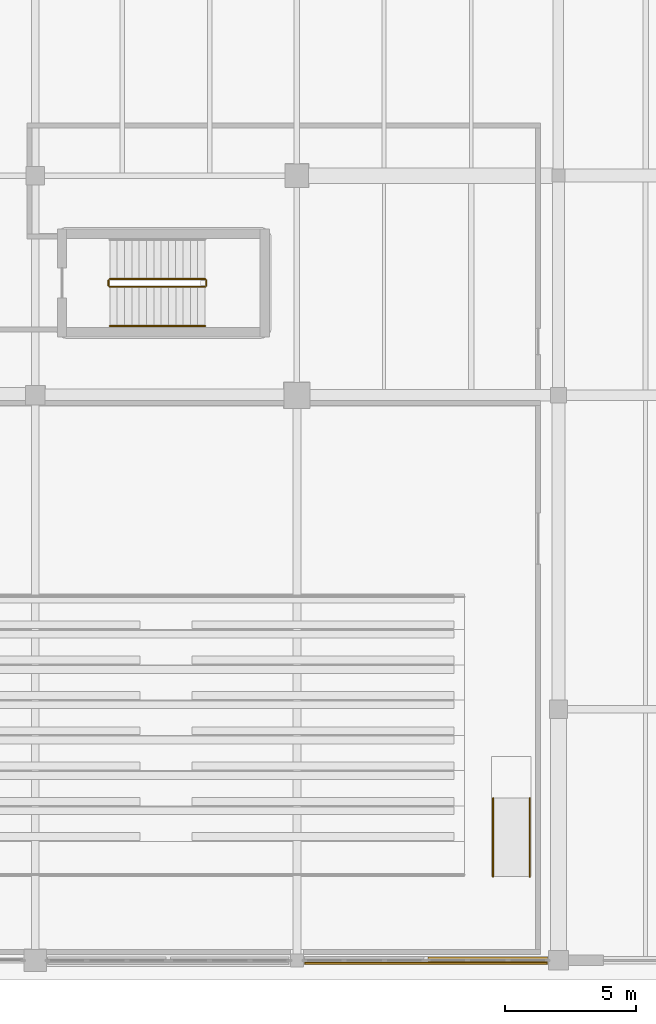
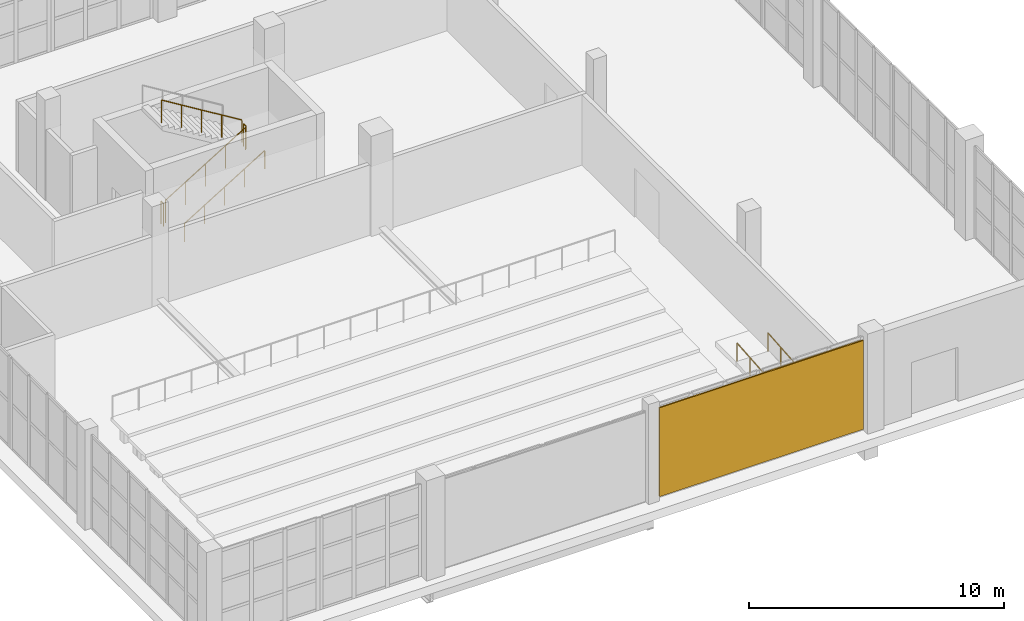
# One storey, part 119 of 121: 7 railings, 1 covering, 1 shading device.
"""IFC4 building model written with IfcOpenShell, lengths in metres."""

from ifc_helpers import new_model, si_unit, direction, frame, origin, origin_2d, place, context, subcontext, project, spatial, polyline, rectangle, circle, outline, extrude, material, layer, layer_set, type_object, element, save


model = new_model("IFC4")

# Units and contexts
model_context = context("Model", 3, precision=1e-05, world=origin(), true_north=direction((0.0, 1.0)))
body_context = subcontext(model_context, "Body", "Model", "MODEL_VIEW")
ifc_project = project(units=[si_unit("LENGTHUNIT", "METRE"), si_unit("AREAUNIT", "SQUARE_METRE"), si_unit("VOLUMEUNIT", "CUBIC_METRE"), si_unit("PLANEANGLEUNIT", "RADIAN"), si_unit("MASSUNIT", "GRAM", prefix="KILO")], contexts=[model_context])

# Site, building, storey
site_placement = place(None, origin())
site = spatial("IfcSite", under=ifc_project, at=site_placement, CompositionType="ELEMENT")
building_placement = place(site_placement, origin())
building = spatial("IfcBuilding", under=site, at=building_placement, Name="Zereglee Splitstone Museum", CompositionType="ELEMENT")
storey_placement = place(building_placement, origin())
storey = spatial("IfcBuildingStorey", under=building, at=storey_placement, Name="L00", CompositionType="ELEMENT", Elevation=0.0)

# Covering
ifc_material_1 = material(Name="Honed Gobi pale limestone stringcourse and soffit cladding", Category="masonry")
ifc_layer_1 = layer(ifc_material_1, 0.070068359375)
ifc_layer_set_1 = layer_set([ifc_layer_1], Name="Honed Gobi pale limestone stringcourse and soffit cladding")
covering_type = type_object("IfcCoveringType", Name="CL-02", PredefinedType="CLADDING", material=ifc_layer_set_1)
covering_placement = place(storey_placement, frame((283.29736328125, 0.0, 3.5048828125), z_axis=(0.0, 0.0, 1.0), x_axis=(1.0, 0.0, 0.0)))
element("IfcCovering", 1, at=covering_placement, inside=storey, type_object=covering_type, Name="Mughal Carved Clerestory Jaali Frieze RC4-CW-L00-021-2", PredefinedType="CLADDING", context=body_context, shape_type="SweptSolid", body=[
    extrude(rectangle(XDim=4.56005859375, YDim=0.239990234375, at=origin_2d()), origin(), (0.0, 0.0, 1.0), 0.75),
])

# Railings
ifc_material_2 = material(Name="Painted steel S355J2 post-and-baluster guard", Category="steel")
railing_type_1 = type_object("IfcRailingType", Name="GR-03", PredefinedType="BALUSTRADE", material=ifc_material_2)
railing_1_placement = place(storey_placement, frame((268.85009765625, 25.75, 0.17138671875)))
element("IfcRailing", 2, at=railing_1_placement, inside=storey, type_object=railing_type_1, Name="L00 ST-05 stair guard 1", PredefinedType="BALUSTRADE", context=body_context, shape_type="SweptSolid", body=[
    extrude(circle(Radius=0.02392578125, at=origin_2d()), frame((0.0, 0.0, 1.076416015625), z_axis=(0.852850264322, 0.0, 0.5221555579), x_axis=(0.0, 1.0, 0.0)), (0.0, 0.0, 1.0), 4.267822265625),
    extrude(circle(Radius=0.02099609375, at=origin_2d()), origin(), (0.0, 0.0, 1.0), 1.052001953125),
    extrude(circle(Radius=0.02099609375, at=origin_2d()), frame((0.909912109375, 0.0, 0.55712890625)), (0.0, 0.0, 1.0), 1.052001953125),
    extrude(circle(Radius=0.02099609375, at=origin_2d()), frame((1.81982421875, 0.0, 1.1142578125)), (0.0, 0.0, 1.0), 1.052001953125),
    extrude(circle(Radius=0.02099609375, at=origin_2d()), frame((2.72998046875, 0.0, 1.67138671875)), (0.0, 0.0, 1.0), 1.052001953125),
    extrude(circle(Radius=0.02099609375, at=origin_2d()), frame((3.639892578125, 0.0, 2.228515625)), (0.0, 0.0, 1.0), 1.052001953125),
])
railing_2_placement = place(storey_placement, frame((272.5400390625, 25.800048828125, 2.39990234375)))
element("IfcRailing", 3, at=railing_2_placement, inside=storey, type_object=railing_type_1, Name="L00 ST-05 stair guard 2", PredefinedType="BALUSTRADE", context=body_context, shape_type="SweptSolid", body=[
    extrude(circle(Radius=0.02392578125, at=origin_2d()), frame((0.0, 0.0, 1.076416015625), z_axis=(0.0, 1.0, 0.0), x_axis=(-1.0, 0.0, 0.0)), (0.0, 0.0, 1.0), 0.199951171875),
    extrude(circle(Radius=0.02099609375, at=origin_2d()), origin(), (0.0, 0.0, 1.0), 1.052001953125),
    extrude(circle(Radius=0.02099609375, at=origin_2d()), frame((0.0, 0.199951171875, 0.0)), (0.0, 0.0, 1.0), 1.052001953125),
])
railing_3_placement = place(storey_placement, frame((272.489990234375, 26.050048828125, 2.571533203125)))
element("IfcRailing", 4, at=railing_3_placement, inside=storey, type_object=railing_type_1, Name="L00 ST-05 stair guard 3", PredefinedType="BALUSTRADE", context=body_context, shape_type="SweptSolid", body=[
    extrude(circle(Radius=0.02392578125, at=origin_2d()), frame((0.0, 0.0, 1.076416015625), z_axis=(-0.852850264322, 0.0, 0.5221555579), x_axis=(0.0, -1.0, 0.0)), (0.0, 0.0, 1.0), 4.267822265625),
    extrude(circle(Radius=0.02099609375, at=origin_2d()), origin(), (0.0, 0.0, 1.0), 1.052001953125),
    extrude(circle(Radius=0.02099609375, at=origin_2d()), frame((-0.909912109375, 0.0, 0.55712890625)), (0.0, 0.0, 1.0), 1.052001953125),
    extrude(circle(Radius=0.02099609375, at=origin_2d()), frame((-1.81982421875, 0.0, 1.1142578125)), (0.0, 0.0, 1.0), 1.052001953125),
    extrude(circle(Radius=0.02099609375, at=origin_2d()), frame((-2.72998046875, 0.0, 1.67138671875)), (0.0, 0.0, 1.0), 1.052001953125),
    extrude(circle(Radius=0.02099609375, at=origin_2d()), frame((-3.639892578125, 0.0, 2.228515625)), (0.0, 0.0, 1.0), 1.052001953125),
])
railing_4_placement = place(storey_placement, frame((268.800048828125, 25.800048828125, 0.0)))
element("IfcRailing", 5, at=railing_4_placement, inside=storey, type_object=railing_type_1, Name="L00 ST-05 stair guard 4", PredefinedType="BALUSTRADE", context=body_context, shape_type="SweptSolid", body=[
    extrude(circle(Radius=0.02392578125, at=origin_2d()), frame((0.0, 0.0, 1.076416015625), z_axis=(0.0, 1.0, 0.0), x_axis=(-1.0, 0.0, 0.0)), (0.0, 0.0, 1.0), 0.199951171875),
    extrude(circle(Radius=0.02099609375, at=origin_2d()), origin(), (0.0, 0.0, 1.0), 1.052001953125),
    extrude(circle(Radius=0.02099609375, at=origin_2d()), frame((0.0, 0.199951171875, 0.0)), (0.0, 0.0, 1.0), 1.052001953125),
])
ifc_material_3 = material(Name="Architectural bronze tubular handrail", Category="steel")
railing_type_2 = type_object("IfcRailingType", Name="HR-01", PredefinedType="HANDRAIL", material=ifc_material_3)
railing_5_placement = place(storey_placement, frame((268.85009765625, 24.25, 0.17138671875)))
element("IfcRailing", 6, at=railing_5_placement, inside=storey, type_object=railing_type_2, Name="L00 ST-05 stair handrail 1", PredefinedType="HANDRAIL", context=body_context, shape_type="SweptSolid", body=[
    extrude(circle(Radius=0.02392578125, at=origin_2d()), frame((0.0, 0.0, 0.8759765625), z_axis=(0.852850264322, 0.0, 0.5221555579), x_axis=(0.0, 1.0, 0.0)), (0.0, 0.0, 1.0), 4.267822265625),
    extrude(circle(Radius=0.02099609375, at=origin_2d()), origin(), (0.0, 0.0, 1.0), 0.851806640625),
    extrude(circle(Radius=0.02099609375, at=origin_2d()), frame((0.909912109375, 0.0, 0.55712890625)), (0.0, 0.0, 1.0), 0.851806640625),
    extrude(circle(Radius=0.02099609375, at=origin_2d()), frame((1.81982421875, 0.0, 1.1142578125)), (0.0, 0.0, 1.0), 0.851806640625),
    extrude(circle(Radius=0.02099609375, at=origin_2d()), frame((2.72998046875, 0.0, 1.67138671875)), (0.0, 0.0, 1.0), 0.851806640625),
    extrude(circle(Radius=0.02099609375, at=origin_2d()), frame((3.639892578125, 0.0, 2.228515625)), (0.0, 0.0, 1.0), 0.851806640625),
])
for number, where, name in (
    (7, (283.5, 3.199951171875, 0.0), "Auditorium Vomitory Ramp VR-2 Handrail L"),
    (8, (284.89990234375, 3.199951171875, 0.0), "Auditorium Vomitory Ramp VR-2 Handrail R"),
):
    element("IfcRailing", number, at=place(storey_placement, frame(where)), inside=storey, type_object=railing_type_2, Name=name, PredefinedType="HANDRAIL", context=body_context, shape_type="SweptSolid", body=[
        extrude(circle(Radius=0.02392578125, at=origin_2d()), frame((0.0, 0.0, 0.8759765625), z_axis=(0.0, 0.996545758245, 0.083045479854), x_axis=(-1.0, 0.0, 0.0)), (0.0, 0.0, 1.0), 3.010498046875),
        extrude(circle(Radius=0.02099609375, at=origin_2d()), origin(), (0.0, 0.0, 1.0), 0.851806640625),
        extrude(circle(Radius=0.02099609375, at=origin_2d()), frame((0.0, 1.0, 0.083251953125)), (0.0, 0.0, 1.0), 0.851806640625),
        extrude(circle(Radius=0.02099609375, at=origin_2d()), frame((0.0, 2.0, 0.166748046875)), (0.0, 0.0, 1.0), 0.851806640625),
        extrude(circle(Radius=0.02099609375, at=origin_2d()), frame((0.0, 3.0, 0.25)), (0.0, 0.0, 1.0), 0.851806640625),
    ])

# Shading device
ifc_material_4 = material(Name="Patinated architectural bronze CuSn8 geometric jali screen")
ifc_layer_2 = layer(ifc_material_4, 0.06005859375)
ifc_layer_set_2 = layer_set([ifc_layer_2], Name="Patinated architectural bronze CuSn8 geometric jali screen")
shading_device_type = type_object("IfcShadingDeviceType", Name="JL-01", PredefinedType="USERDEFINED", material=ifc_layer_set_2)
shading_device_placement = place(storey_placement, frame((276.30810546875, -0.080078125, 0.1201171875), z_axis=(0.0, -1.0, 0.0), x_axis=(1.0, 0.0, 0.0)))
element("IfcShadingDevice", 9, at=shading_device_placement, inside=storey, type_object=shading_device_type, Name="Bronze Mughal Jali Screen 04", ObjectType="SCREEN", PredefinedType="USERDEFINED", context=body_context, shape_type="SweptSolid", body=[
    extrude(outline(polyline([(0.0, 0.0), (9.2587890625, 0.0), (9.2587890625, 4.259765625), (0.0, 4.259765625), (0.0, 0.0)])), origin(), (0.0, 0.0, 1.0), 0.06005859375),
])

save(model, "model.ifc")
